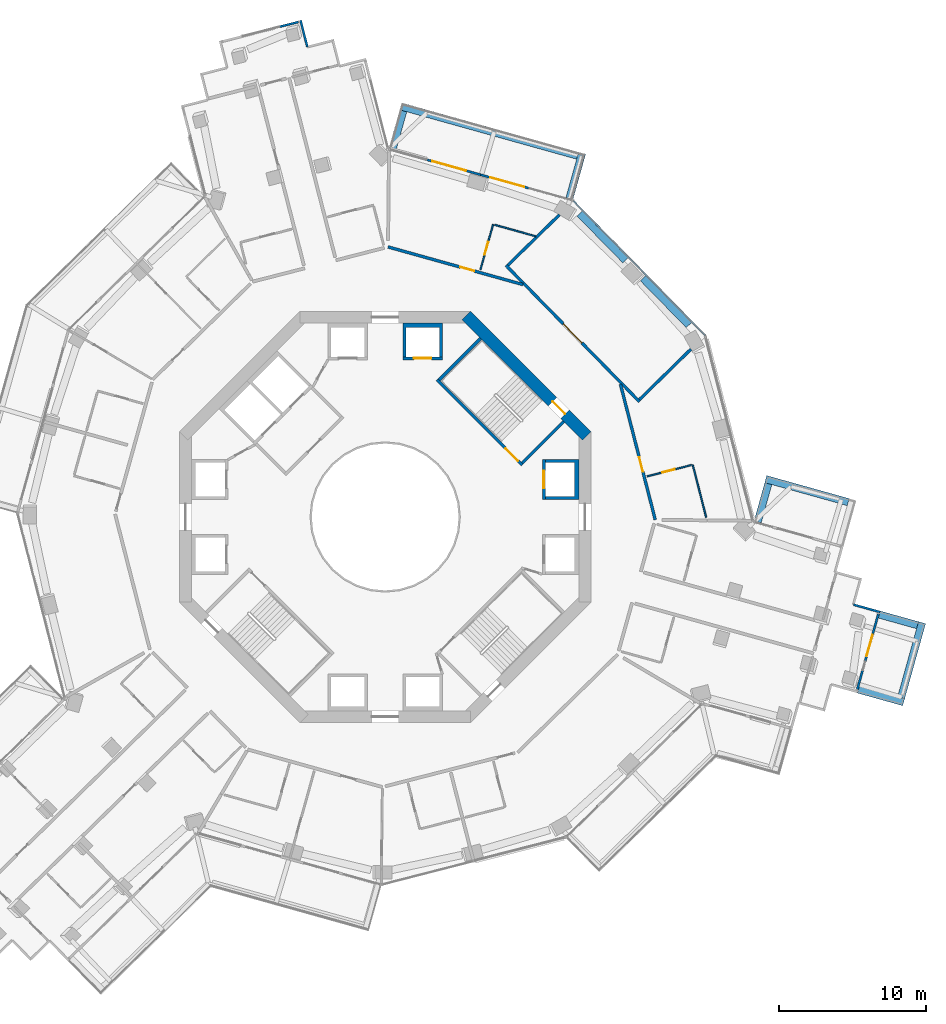
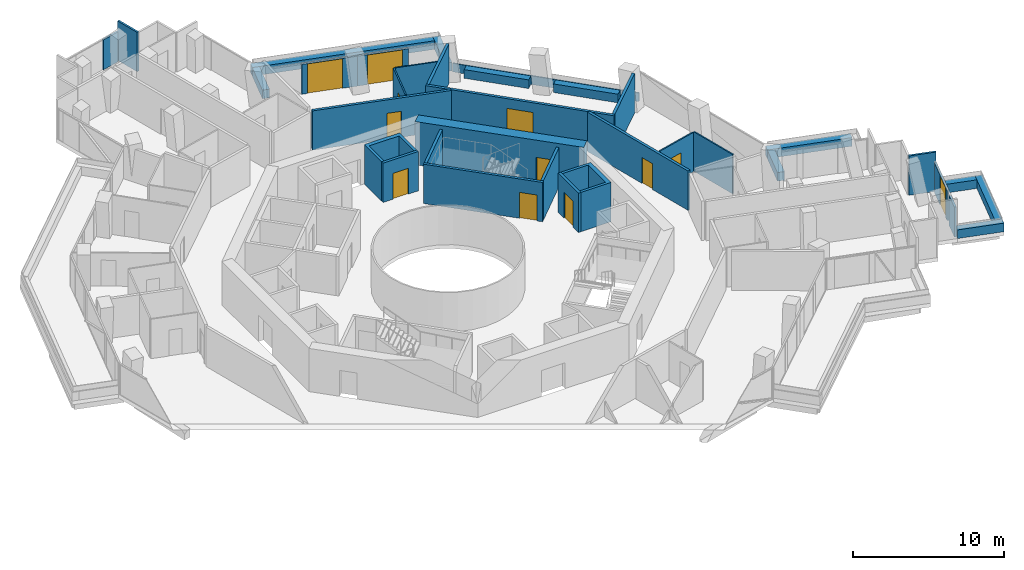
# One storey, part 23 of 26: 35 walls, 12 doors, 12 openings.
"""IFC4 building model written with IfcOpenShell, lengths in metres."""

from ifc_helpers import new_model, si_unit, direction, frame, frame_2d, origin, place, context, subcontext, project, spatial, polyline, rectangle, outline, extrude, material, layer, layer_set, type_object, element, fill, save


model = new_model("IFC4")

# Units and contexts
model_context = context("Model", 3, precision=1e-05, world=origin(), true_north=direction((0.0, 1.0)))
body_context = subcontext(model_context, "Body", "Model", "MODEL_VIEW")
ifc_project = project(units=[si_unit("LENGTHUNIT", "METRE"), si_unit("AREAUNIT", "SQUARE_METRE"), si_unit("VOLUMEUNIT", "CUBIC_METRE"), si_unit("PLANEANGLEUNIT", "RADIAN"), si_unit("MASSUNIT", "GRAM", prefix="KILO")], contexts=[model_context])

# Site, building, storey
site_placement = place(None, origin())
site = spatial("IfcSite", under=ifc_project, at=site_placement, CompositionType="ELEMENT")
building_placement = place(site_placement, origin())
building = spatial("IfcBuilding", under=site, at=building_placement, Name="Verdalira Terraces Hotel", CompositionType="ELEMENT")
storey_placement = place(building_placement, frame((0.0, 0.0, 93.0)))
storey = spatial("IfcBuildingStorey", under=building, at=storey_placement, Name="L21", CompositionType="ELEMENT", Elevation=93.0)

# Walls
ifc_material_1 = material(Name="Concrete C40", Category="concrete")
ifc_layer_1 = layer(ifc_material_1, 0.5)
ifc_layer_set_1 = layer_set([ifc_layer_1], Name="Balcony planter trough with tree")
wall_type_1 = type_object("IfcWallType", Name="Balcony planter trough with tree", PredefinedType="SOLIDWALL", material=ifc_layer_set_1)
wall_1_placement = place(storey_placement, frame((32.211426, -11.744873, 0.0), z_axis=(0.0, 0.0, 1.0), x_axis=(0.963159533, -0.268930686, 0.0)))
element("IfcWall", 1, at=wall_1_placement, inside=storey, type_object=wall_type_1, Name="Balcony planter", PredefinedType="SOLIDWALL", context=body_context, shape_type="SweptSolid", body=[
    extrude(rectangle(XDim=3.199219, YDim=0.5, at=frame_2d((1.599609, 0.0))), origin(), (0.0, 0.0, 1.0), 0.699951),
])
wall_2_placement = place(storey_placement, frame((35.119141, -12.297119, 0.0), z_axis=(0.0, 0.0, 1.0), x_axis=(0.268924192, 0.963161346, 0.0)))
element("IfcWall", 2, at=wall_2_placement, inside=storey, type_object=wall_type_1, Name="Balcony planter", PredefinedType="SOLIDWALL", context=body_context, shape_type="SweptSolid", body=[
    extrude(rectangle(XDim=5.300049, YDim=0.5, at=frame_2d((2.649902, 0.0))), origin(), (0.0, 0.0, 1.0), 0.699951),
])
wall_3_placement = place(storey_placement, frame((36.236328, -7.365967, 0.0), z_axis=(0.0, 0.0, 1.0), x_axis=(-0.963161982, 0.268921917, 0.0)))
element("IfcWall", 3, at=wall_3_placement, inside=storey, type_object=wall_type_1, Name="Balcony planter", PredefinedType="SOLIDWALL", context=body_context, shape_type="SweptSolid", body=[
    extrude(rectangle(XDim=2.698975, YDim=0.5, at=frame_2d((1.349609, 0.0))), origin(), (0.0, 0.0, 1.0), 0.699951),
])
wall_4_placement = place(storey_placement, frame((31.515381, 1.012207, 0.0), z_axis=(0.0, 0.0, 1.0), x_axis=(-0.963162724, 0.268919258, 0.0)))
element("IfcWall", 4, at=wall_4_placement, inside=storey, type_object=wall_type_1, Name="Balcony planter", PredefinedType="SOLIDWALL", context=body_context, shape_type="SweptSolid", body=[
    extrude(rectangle(XDim=5.823975, YDim=0.5, at=frame_2d((2.912109, 0.0))), origin(), (0.0, 0.0, 1.0), 0.699951),
])
wall_5_placement = place(storey_placement, frame((26.07959, 2.270264, 0.0), z_axis=(0.0, 0.0, 1.0), x_axis=(-0.268921917, -0.963161982, 0.0)))
element("IfcWall", 5, at=wall_5_placement, inside=storey, type_object=wall_type_1, Name="Balcony planter", PredefinedType="SOLIDWALL", context=body_context, shape_type="SweptSolid", body=[
    extrude(rectangle(XDim=2.698975, YDim=0.5, at=frame_2d((1.349609, 0.0))), origin(), (0.0, 0.0, 1.0), 0.699951),
])
wall_6_placement = place(storey_placement, frame((12.543701, 21.684814, 0.0), z_axis=(0.0, 0.0, 1.0), x_axis=(0.26885989, 0.963179298, 0.0)))
element("IfcWall", 6, at=wall_6_placement, inside=storey, type_object=wall_type_1, Name="Balcony planter", PredefinedType="SOLIDWALL", context=body_context, shape_type="SweptSolid", body=[
    extrude(rectangle(XDim=3.198975, YDim=0.5, at=frame_2d((1.599609, 0.0))), origin(), (0.0, 0.0, 1.0), 0.699951),
])
wall_7_placement = place(storey_placement, frame((13.095947, 24.592529, 0.0), z_axis=(0.0, 0.0, 1.0), x_axis=(-0.963161131, 0.268924963, 0.0)))
element("IfcWall", 7, at=wall_7_placement, inside=storey, type_object=wall_type_1, Name="Balcony planter", PredefinedType="SOLIDWALL", context=body_context, shape_type="SweptSolid", body=[
    extrude(rectangle(XDim=12.5, YDim=0.5, at=frame_2d((6.25, 0.0))), origin(), (0.0, 0.0, 1.0), 0.699951),
])
wall_8_placement = place(storey_placement, frame((1.22998, 27.645996, 0.0), z_axis=(0.0, 0.0, 1.0), x_axis=(-0.268921917, -0.963161982, 0.0)))
element("IfcWall", 8, at=wall_8_placement, inside=storey, type_object=wall_type_1, Name="Balcony planter", PredefinedType="SOLIDWALL", context=body_context, shape_type="SweptSolid", body=[
    extrude(rectangle(XDim=2.698975, YDim=0.5, at=frame_2d((1.349609, 0.0))), origin(), (0.0, 0.0, 1.0), 0.699951),
])

# Wall, opening, door
ifc_material_2 = material(Name="Moisture-resistant gypsum board partition")
ifc_layer_2 = layer(ifc_material_2, 0.10009765625)
ifc_layer_set_2 = layer_set([ifc_layer_2], Name="Bathroom partition 100 mm")
wall_type_2 = type_object("IfcWallType", Name="Bathroom partition 100 mm", PredefinedType="PARTITIONING", material=ifc_layer_set_2)
wall_9_placement = place(storey_placement, frame((7.344971, 19.916748, 0.0), z_axis=(0.0, 0.0, 1.0), x_axis=(-0.268942177, -0.963156324, 0.0)))
wall_9 = element("IfcWall", 9, at=wall_9_placement, inside=storey, type_object=wall_type_2, Name="Bathroom partition", PredefinedType="PARTITIONING", context=body_context, shape_type="SweptSolid", body=[
    extrude(rectangle(XDim=3.199951, YDim=0.100098, at=frame_2d((1.600098, 0.0))), origin(), (0.0, 0.0, 1.0), 3.189941),
])
opening_1_placement = place(wall_9_placement, frame((1.25, 0.0, 0.0)))
opening_1 = element("IfcOpeningElement", 10, at=opening_1_placement, cuts=wall_9, Name="Opening L21-136", PredefinedType="OPENING", context=body_context, shape_type="SweptSolid", body=[
    extrude(rectangle(XDim=0.899902, YDim=2.100098, at=frame_2d((0.449951, 1.050049))), frame((0.0, 0.060059, 0.0), z_axis=(0.0, -1.0, 0.0), x_axis=(1.0, 0.0, 0.0)), (0.0, 0.0, 1.0), 0.120117),
])
ifc_material_3 = material(Name="Timber door", Category="wood")
door_type_1 = type_object("IfcDoorType", Name="Bathroom door 900 x 2100", OperationType="NOTDEFINED", PredefinedType="DOOR", material=ifc_material_3)
door_1_placement = place(opening_1_placement, origin())
door_1 = element("IfcDoor", 11, at=door_1_placement, inside=storey, type_object=door_type_1, Name="Bathroom door 2112", OperationType="SINGLE_SWING_LEFT", OverallHeight=2.10009765625, OverallWidth=0.89990234375, PredefinedType="DOOR", context=body_context, shape_type="SweptSolid", body=[
    extrude(rectangle(XDim=0.899902, YDim=2.100098, at=frame_2d((0.449951, 1.050049))), frame((0.0, 0.024902, 0.0), z_axis=(0.0, -1.0, 0.0), x_axis=(1.0, 0.0, 0.0)), (0.0, 0.0, 1.0), 0.050049),
])
fill(opening_1, door_1)

# Wall
wall_10_placement = place(storey_placement, frame((7.441162, 19.889893, 0.0), z_axis=(0.0, 0.0, 1.0), x_axis=(0.963173581, -0.268880369, 0.0)))
element("IfcWall", 12, at=wall_10_placement, inside=storey, type_object=wall_type_2, Name="Bathroom partition", PredefinedType="PARTITIONING", context=body_context, shape_type="SweptSolid", body=[
    extrude(rectangle(XDim=2.911865, YDim=0.100098, at=frame_2d((1.456055, 0.0))), origin(), (0.0, 0.0, 1.0), 3.189941),
])

# Wall, opening, door
wall_11_placement = place(storey_placement, frame((20.833984, 3.533936, 0.0), z_axis=(0.0, 0.0, 1.0), x_axis=(-0.968580249, -0.24870123, 0.0)))
wall_11 = element("IfcWall", 13, at=wall_11_placement, inside=storey, type_object=wall_type_2, Name="Bathroom partition", PredefinedType="PARTITIONING", context=body_context, shape_type="SweptSolid", body=[
    extrude(rectangle(XDim=3.100098, YDim=0.100098, at=frame_2d((1.550049, 0.0))), origin(), (0.0, 0.0, 1.0), 3.189941),
])
opening_2_placement = place(wall_11_placement, frame((1.149902, 0.0, 0.0)))
opening_2 = element("IfcOpeningElement", 14, at=opening_2_placement, cuts=wall_11, Name="Opening L21-134", PredefinedType="OPENING", context=body_context, shape_type="SweptSolid", body=[
    extrude(rectangle(XDim=0.899902, YDim=2.100098, at=frame_2d((0.449951, 1.050049))), frame((0.0, 0.060059, 0.0), z_axis=(0.0, -1.0, 0.0), x_axis=(1.0, 0.0, 0.0)), (0.0, 0.0, 1.0), 0.120117),
])
door_2_placement = place(opening_2_placement, origin())
door_2 = element("IfcDoor", 15, at=door_2_placement, inside=storey, type_object=door_type_1, Name="Bathroom door 2111", OperationType="SINGLE_SWING_LEFT", OverallHeight=2.10009765625, OverallWidth=0.89990234375, PredefinedType="DOOR", context=body_context, shape_type="SweptSolid", body=[
    extrude(rectangle(XDim=0.899902, YDim=2.100098, at=frame_2d((0.449951, 1.050049))), frame((0.0, 0.024902, 0.0), z_axis=(0.0, -1.0, 0.0), x_axis=(1.0, 0.0, 0.0)), (0.0, 0.0, 1.0), 0.050049),
])
fill(opening_2, door_2)

# Walls
wall_12_placement = place(storey_placement, frame((20.930908, 3.558838, 0.0), z_axis=(0.0, 0.0, 1.0), x_axis=(0.24868774, -0.968583712, 0.0)))
element("IfcWall", 16, at=wall_12_placement, inside=storey, type_object=wall_type_2, Name="Bathroom partition", PredefinedType="PARTITIONING", context=body_context, shape_type="SweptSolid", body=[
    extrude(rectangle(XDim=3.704102, YDim=0.100098, at=frame_2d((1.852051, 0.0))), origin(), (0.0, 0.0, 1.0), 3.189941),
])
ifc_material_4 = material(Name="Concrete C50", Category="concrete")
ifc_layer_3 = layer(ifc_material_4, 0.199951171875)
ifc_layer_set_3 = layer_set([ifc_layer_3], Name="Core RC wall 200 C50")
wall_type_3 = type_object("IfcWallType", Name="Core RC wall 200 C50", PredefinedType="SOLIDWALL", material=ifc_layer_set_3)
wall_13_placement = place(storey_placement, origin())
element("IfcWall", 17, at=wall_13_placement, inside=storey, type_object=wall_type_3, Name="L21 shaft wall E2", PredefinedType="SOLIDWALL", context=body_context, shape_type="SweptSolid", body=[
    extrude(outline(polyline([(13.199951, 3.899902), (13.199951, 1.199951), (10.899902, 1.199951), (10.899902, 1.399902), (12.899902, 1.399902), (12.899902, 3.699951), (10.899902, 3.699951), (10.899902, 3.899902), (13.199951, 3.899902)])), origin(), (0.0, 0.0, 1.0), 3.189941),
])

# Wall, opening, door
wall_14_placement = place(storey_placement, frame((10.800049, 1.199951, 0.0), z_axis=(0.0, 0.0, 1.0), x_axis=(0.0, 1.0, 0.0)))
wall_14 = element("IfcWall", 18, at=wall_14_placement, inside=storey, type_object=wall_type_3, Name="L21 shaft front wall E2", PredefinedType="SOLIDWALL", context=body_context, shape_type="SweptSolid", body=[
    extrude(rectangle(XDim=2.699951, YDim=0.199951, at=frame_2d((1.350098, 0.0))), origin(), (0.0, 0.0, 1.0), 3.189941),
])
opening_3_placement = place(wall_14_placement, frame((0.75, 0.0, 0.0)))
opening_3 = element("IfcOpeningElement", 19, at=opening_3_placement, cuts=wall_14, Name="Opening LD-L21-802", PredefinedType="OPENING", context=body_context, shape_type="SweptSolid", body=[
    extrude(rectangle(XDim=1.199951, YDim=2.100098, at=frame_2d((0.600098, 1.050049))), frame((0.0, 0.109863, 0.0), z_axis=(0.0, -1.0, 0.0), x_axis=(1.0, 0.0, 0.0)), (0.0, 0.0, 1.0), 0.219971),
])
ifc_material_5 = material(Name="Stainless steel", Category="steel")
door_type_2 = type_object("IfcDoorType", Name="Landing door 1200 x 2100", OperationType="NOTDEFINED", PredefinedType="DOOR", material=ifc_material_5)
door_3_placement = place(opening_3_placement, origin())
door_3 = element("IfcDoor", 20, at=door_3_placement, inside=storey, type_object=door_type_2, Name="Lift landing door LR2 L21", OperationType="DOUBLE_DOOR_SLIDING", OverallHeight=2.10009765625, OverallWidth=1.199951171875, PredefinedType="DOOR", context=body_context, shape_type="SweptSolid", body=[
    extrude(rectangle(XDim=1.199951, YDim=2.100098, at=frame_2d((0.600098, 1.050049))), frame((0.0, 0.024902, 0.0), z_axis=(0.0, -1.0, 0.0), x_axis=(1.0, 0.0, 0.0)), (0.0, 0.0, 1.0), 0.050049),
])
fill(opening_3, door_3)

# Wall
wall_15_placement = place(storey_placement, origin())
element("IfcWall", 21, at=wall_15_placement, inside=storey, type_object=wall_type_3, Name="L21 shaft wall N1", PredefinedType="SOLIDWALL", context=body_context, shape_type="SweptSolid", body=[
    extrude(outline(polyline([(3.899902, 13.199951), (3.899902, 10.899902), (3.699951, 10.899902), (3.699951, 12.899902), (1.399902, 12.899902), (1.399902, 10.899902), (1.199951, 10.899902), (1.199951, 13.199951), (3.899902, 13.199951)])), origin(), (0.0, 0.0, 1.0), 3.189941),
])

# Wall, opening, door
wall_16_placement = place(storey_placement, frame((1.199951, 10.800049, 0.0), z_axis=(0.0, 0.0, 1.0), x_axis=(1.0, 0.0, 0.0)))
wall_16 = element("IfcWall", 22, at=wall_16_placement, inside=storey, type_object=wall_type_3, Name="L21 shaft front wall N1", PredefinedType="SOLIDWALL", context=body_context, shape_type="SweptSolid", body=[
    extrude(rectangle(XDim=2.699951, YDim=0.199951, at=frame_2d((1.350098, 0.0))), origin(), (0.0, 0.0, 1.0), 3.189941),
])
opening_4_placement = place(wall_16_placement, frame((0.75, 0.0, 0.0)))
opening_4 = element("IfcOpeningElement", 23, at=opening_4_placement, cuts=wall_16, Name="Opening LD-L21-803", PredefinedType="OPENING", context=body_context, shape_type="SweptSolid", body=[
    extrude(rectangle(XDim=1.199951, YDim=2.100098, at=frame_2d((0.600098, 1.050049))), frame((0.0, 0.109863, 0.0), z_axis=(0.0, -1.0, 0.0), x_axis=(1.0, 0.0, 0.0)), (0.0, 0.0, 1.0), 0.219971),
])
door_4_placement = place(opening_4_placement, origin())
door_4 = element("IfcDoor", 24, at=door_4_placement, inside=storey, type_object=door_type_2, Name="Lift landing door LR3 L21", OperationType="DOUBLE_DOOR_SLIDING", OverallHeight=2.10009765625, OverallWidth=1.199951171875, PredefinedType="DOOR", context=body_context, shape_type="SweptSolid", body=[
    extrude(rectangle(XDim=1.199951, YDim=2.100098, at=frame_2d((0.600098, 1.050049))), frame((0.0, 0.024902, 0.0), z_axis=(0.0, -1.0, 0.0), x_axis=(1.0, 0.0, 0.0)), (0.0, 0.0, 1.0), 0.050049),
])
fill(opening_4, door_4)

wall_17_placement = place(storey_placement, frame((3.5354, 9.33374, 0.0), z_axis=(0.0, 0.0, 1.0), x_axis=(0.707106781, -0.707106781, 0.0)))
wall_17 = element("IfcWall", 25, at=wall_17_placement, inside=storey, type_object=wall_type_3, Name="L21 stair ST1 front wall", PredefinedType="SOLIDWALL", context=body_context, shape_type="SweptSolid", body=[
    extrude(rectangle(XDim=8.200195, YDim=0.199951, at=frame_2d((4.100098, 0.0))), origin(), (0.0, 0.0, 1.0), 3.189941),
])
opening_5_placement = place(wall_17_placement, frame((6.600098, 0.0, 0.0)))
opening_5 = element("IfcOpeningElement", 26, at=opening_5_placement, cuts=wall_17, Name="Opening L21-809", PredefinedType="OPENING", context=body_context, shape_type="SweptSolid", body=[
    extrude(rectangle(XDim=1.199951, YDim=2.100098, at=frame_2d((0.600098, 1.050049))), frame((0.0, 0.109863, 0.0), z_axis=(0.0, -1.0, 0.0), x_axis=(1.0, 0.0, 0.0)), (0.0, 0.0, 1.0), 0.219971),
])
ifc_material_6 = material(Name="Steel fire door", Category="steel")
door_type_3 = type_object("IfcDoorType", Name="Stair door 1200 x 2100", OperationType="NOTDEFINED", PredefinedType="DOOR", material=ifc_material_6)
door_5_placement = place(opening_5_placement, origin())
door_5 = element("IfcDoor", 27, at=door_5_placement, inside=storey, type_object=door_type_3, Name="Stair door ST1 L21", OperationType="SINGLE_SWING_RIGHT", OverallHeight=2.10009765625, OverallWidth=1.199951171875, PredefinedType="DOOR", context=body_context, shape_type="SweptSolid", body=[
    extrude(rectangle(XDim=1.199951, YDim=2.100098, at=frame_2d((0.600098, 1.050049))), frame((0.0, 0.024902, 0.0), z_axis=(0.0, -1.0, 0.0), x_axis=(1.0, 0.0, 0.0)), (0.0, 0.0, 1.0), 0.050049),
])
fill(opening_5, door_5)

# Walls
for number, where, z_axis, x_axis, name in (
    (28, (9.33374, 3.677002, 0.0), (0.0, 0.0, 1.0), (0.707106781, 0.707106781, 0.0), "L21 stair ST1 end wall 1"),
    (29, (3.677002, 9.33374, 0.0), (0.0, 0.0, 1.0), (0.707106781, 0.707106781, 0.0), "L21 stair ST1 end wall 2"),
):
    element("IfcWall", number, at=place(storey_placement, frame(where, z_axis=z_axis, x_axis=x_axis)), inside=storey, type_object=wall_type_3, Name=name, PredefinedType="SOLIDWALL", context=body_context, shape_type="SweptSolid", body=[
        extrude(rectangle(XDim=4.0, YDim=0.199951, at=frame_2d((2.0, 0.0))), origin(), (0.0, 0.0, 1.0), 3.189941),
    ])

# Wall, opening, door
ifc_material_7 = material(Name="Concrete C70", Category="concrete")
ifc_layer_4 = layer(ifc_material_7, 0.800048828125)
ifc_layer_set_4 = layer_set([ifc_layer_4], Name="Core wall 800 C70")
wall_type_4 = type_object("IfcWallType", Name="Core wall 800 C70", PredefinedType="SHEAR", material=ifc_layer_set_4)
wall_18_placement = place(storey_placement, frame((13.717285, 5.516113, 0.0), z_axis=(0.0, 0.0, 1.0), x_axis=(-0.707106781, 0.707106781, 0.0)))
wall_18 = element("IfcWall", 30, at=wall_18_placement, inside=storey, type_object=wall_type_4, Name="Core wall CW-L21-2", PredefinedType="SHEAR", context=body_context, shape_type="SweptSolid", body=[
    extrude(rectangle(XDim=11.598145, YDim=0.800049, at=frame_2d((5.799072, 0.0))), origin(), (0.0, 0.0, 1.0), 3.5),
])
opening_6_placement = place(wall_18_placement, frame((2.099121, 0.0, 0.0)))
opening_6 = element("IfcOpeningElement", 31, at=opening_6_placement, cuts=wall_18, Name="Opening L21-816", PredefinedType="OPENING", context=body_context, shape_type="SweptSolid", body=[
    extrude(rectangle(XDim=1.199951, YDim=2.100098, at=frame_2d((0.600098, 1.050049))), frame((0.0, 0.409912, 0.0), z_axis=(0.0, -1.0, 0.0), x_axis=(1.0, 0.0, 0.0)), (0.0, 0.0, 1.0), 0.820068),
])
door_6_placement = place(opening_6_placement, origin())
door_6 = element("IfcDoor", 32, at=door_6_placement, inside=storey, type_object=door_type_3, Name="Stair exit door ST1 L21", OperationType="SINGLE_SWING_LEFT", OverallHeight=2.10009765625, OverallWidth=1.199951171875, PredefinedType="DOOR", context=body_context, shape_type="SweptSolid", body=[
    extrude(rectangle(XDim=1.199951, YDim=2.100098, at=frame_2d((0.600098, 1.050049))), frame((0.0, 0.024902, 0.0), z_axis=(0.0, -1.0, 0.0), x_axis=(1.0, 0.0, 0.0)), (0.0, 0.0, 1.0), 0.050049),
])
fill(opening_6, door_6)

ifc_material_8 = material(Name="Fire-rated gypsum board wall")
ifc_layer_5 = layer(ifc_material_8, 0.199951171875)
ifc_layer_set_5 = layer_set([ifc_layer_5], Name="Guest corridor wall 200 mm")
wall_type_5 = type_object("IfcWallType", Name="Guest corridor wall 200 mm", PredefinedType="SOLIDWALL", material=ifc_layer_set_5)
wall_19_placement = place(storey_placement, frame((0.192627, 18.383789, 0.0), z_axis=(0.0, 0.0, 1.0), x_axis=(0.963159453, -0.268930974, 0.0)))
wall_19 = element("IfcWall", 33, at=wall_19_placement, inside=storey, type_object=wall_type_5, Name="Guest corridor wall", PredefinedType="SOLIDWALL", context=body_context, shape_type="SweptSolid", body=[
    extrude(rectangle(XDim=9.536621, YDim=0.199951, at=frame_2d((4.768311, 0.0))), origin(), (0.0, 0.0, 1.0), 3.189941),
])
opening_7_placement = place(wall_19_placement, frame((5.100098, 0.0, 0.0)))
opening_7 = element("IfcOpeningElement", 34, at=opening_7_placement, cuts=wall_19, Name="Opening L21-135", PredefinedType="OPENING", context=body_context, shape_type="SweptSolid", body=[
    extrude(rectangle(XDim=1.0, YDim=2.100098, at=frame_2d((0.5, 1.050049))), frame((0.0, 0.109863, 0.0), z_axis=(0.0, -1.0, 0.0), x_axis=(1.0, 0.0, 0.0)), (0.0, 0.0, 1.0), 0.219971),
])
ifc_material_9 = material(Name="Timber fire door", Category="wood")
door_type_4 = type_object("IfcDoorType", Name="Guest entry door 1000 x 2100", OperationType="NOTDEFINED", PredefinedType="DOOR", material=ifc_material_9)
door_7_placement = place(opening_7_placement, origin())
door_7 = element("IfcDoor", 35, at=door_7_placement, inside=storey, type_object=door_type_4, Name="Guest entry door 2112", OperationType="SINGLE_SWING_LEFT", OverallHeight=2.10009765625, OverallWidth=1.0, PredefinedType="DOOR", context=body_context, shape_type="SweptSolid", body=[
    extrude(rectangle(XDim=1.0, YDim=2.100098, at=frame_2d((0.5, 1.050049))), frame((0.0, 0.024902, 0.0), z_axis=(0.0, -1.0, 0.0), x_axis=(1.0, 0.0, 0.0)), (0.0, 0.0, 1.0), 0.050049),
])
fill(opening_7, door_7)

wall_20_placement = place(storey_placement, frame((16.012207, 9.044434, 0.0), z_axis=(0.0, 0.0, 1.0), x_axis=(0.248687002, -0.968583902, 0.0)))
wall_20 = element("IfcWall", 36, at=wall_20_placement, inside=storey, type_object=wall_type_5, Name="Guest corridor wall", PredefinedType="SOLIDWALL", context=body_context, shape_type="SweptSolid", body=[
    extrude(rectangle(XDim=9.536377, YDim=0.199951, at=frame_2d((4.768066, 0.0))), origin(), (0.0, 0.0, 1.0), 3.189941),
])
opening_8_placement = place(wall_20_placement, frame((5.149902, 0.0, 0.0)))
opening_8 = element("IfcOpeningElement", 37, at=opening_8_placement, cuts=wall_20, Name="Opening L21-133", PredefinedType="OPENING", context=body_context, shape_type="SweptSolid", body=[
    extrude(rectangle(XDim=1.0, YDim=2.100098, at=frame_2d((0.5, 1.050049))), frame((0.0, 0.109863, 0.0), z_axis=(0.0, -1.0, 0.0), x_axis=(1.0, 0.0, 0.0)), (0.0, 0.0, 1.0), 0.219971),
])
door_8_placement = place(opening_8_placement, origin())
door_8 = element("IfcDoor", 38, at=door_8_placement, inside=storey, type_object=door_type_4, Name="Guest entry door 2111", OperationType="SINGLE_SWING_LEFT", OverallHeight=2.10009765625, OverallWidth=1.0, PredefinedType="DOOR", context=body_context, shape_type="SweptSolid", body=[
    extrude(rectangle(XDim=1.0, YDim=2.100098, at=frame_2d((0.5, 1.050049))), frame((0.0, 0.024902, 0.0), z_axis=(0.0, -1.0, 0.0), x_axis=(1.0, 0.0, 0.0)), (0.0, 0.0, 1.0), 0.050049),
])
fill(opening_8, door_8)

ifc_material_10 = material(Name="Terracotta cladding", Category="masonry")
ifc_layer_6 = layer(ifc_material_10, 0.199951171875)
ifc_layer_set_6 = layer_set([ifc_layer_6], Name="Loggia back wall 200")
wall_type_6 = type_object("IfcWallType", Name="Loggia back wall 200", PredefinedType="SOLIDWALL", material=ifc_layer_set_6)
wall_21_placement = place(storey_placement, frame((8.211426, 17.138916, 0.0), z_axis=(0.0, 0.0, 1.0), x_axis=(0.699668735, -0.714467397, 0.0)))
wall_21 = element("IfcWall", 39, at=wall_21_placement, inside=storey, type_object=wall_type_6, Name="Loggia back wall", PredefinedType="SOLIDWALL", context=body_context, shape_type="SweptSolid", body=[
    extrude(rectangle(XDim=13.0, YDim=0.199951, at=frame_2d((6.5, 0.0))), origin(), (0.0, 0.0, 1.0), 3.189941),
])
opening_9_placement = place(wall_21_placement, frame((5.600098, 0.0, 0.0)))
opening_9 = element("IfcOpeningElement", 40, at=opening_9_placement, cuts=wall_21, Name="Opening L21-L01", PredefinedType="OPENING", context=body_context, shape_type="SweptSolid", body=[
    extrude(rectangle(XDim=1.800049, YDim=2.399902, at=frame_2d((0.899902, 1.199951))), frame((0.0, 0.109863, 0.0), z_axis=(0.0, -1.0, 0.0), x_axis=(1.0, 0.0, 0.0)), (0.0, 0.0, 1.0), 0.219971),
])
ifc_material_11 = material(Name="Clear glass", Category="glass")
door_type_5 = type_object("IfcDoorType", Name="Garden double door 1800x2400", OperationType="NOTDEFINED", PredefinedType="DOOR", material=ifc_material_11)
door_9_placement = place(opening_9_placement, origin())
door_9 = element("IfcDoor", 41, at=door_9_placement, inside=storey, type_object=door_type_5, Name="Loggia double door", OperationType="DOUBLE_DOOR_SINGLE_SWING", OverallHeight=2.39990234375, OverallWidth=1.800048828125, PredefinedType="DOOR", context=body_context, shape_type="SweptSolid", body=[
    extrude(rectangle(XDim=1.800049, YDim=2.399902, at=frame_2d((0.899902, 1.199951))), frame((0.0, 0.024902, 0.0), z_axis=(0.0, -1.0, 0.0), x_axis=(1.0, 0.0, 0.0)), (0.0, 0.0, 1.0), 0.050049),
])
fill(opening_9, door_9)

# Walls
wall_22_placement = place(storey_placement, frame((20.8125, 11.423584, 0.0), z_axis=(0.0, 0.0, 1.0), x_axis=(-0.714460654, -0.69967562, 0.0)))
element("IfcWall", 42, at=wall_22_placement, inside=storey, type_object=wall_type_6, Name="Loggia side wall", PredefinedType="SOLIDWALL", context=body_context, shape_type="SweptSolid", body=[
    extrude(rectangle(XDim=4.904297, YDim=0.199951, at=frame_2d((2.452148, 0.0))), origin(), (0.0, 0.0, 1.0), 3.189941),
])
wall_23_placement = place(storey_placement, frame((11.856445, 20.568359, 0.0), z_axis=(0.0, 0.0, 1.0), x_axis=(-0.714486057, -0.69964968, 0.0)))
element("IfcWall", 43, at=wall_23_placement, inside=storey, type_object=wall_type_6, Name="Loggia side wall", PredefinedType="SOLIDWALL", context=body_context, shape_type="SweptSolid", body=[
    extrude(rectangle(XDim=4.903809, YDim=0.199951, at=frame_2d((2.451904, 0.0))), origin(), (0.0, 0.0, 1.0), 3.189941),
])
ifc_material_12 = material(Name="Concrete C40", Category="concrete")
ifc_layer_7 = layer(ifc_material_12, 0.5)
ifc_layer_set_7 = layer_set([ifc_layer_7], Name="Loggia planter trough with tree")
wall_type_7 = type_object("IfcWallType", Name="Loggia planter trough with tree", PredefinedType="SOLIDWALL", material=ifc_layer_set_7)
wall_24_placement = place(storey_placement, frame((20.672607, 13.061035, 0.0), z_axis=(0.0, 0.0, 1.0), x_axis=(-0.699645765, 0.71448989, 0.0)))
element("IfcWall", 44, at=wall_24_placement, inside=storey, type_object=wall_type_7, Name="Loggia planter", PredefinedType="SOLIDWALL", context=body_context, shape_type="SweptSolid", body=[
    extrude(rectangle(XDim=4.457031, YDim=0.5, at=frame_2d((2.228516, 0.0))), origin(), (0.0, 0.0, 1.0), 0.699951),
])
wall_25_placement = place(storey_placement, frame((16.357422, 17.467529, 0.0), z_axis=(0.0, 0.0, 1.0), x_axis=(-0.699668514, 0.714467613, 0.0)))
element("IfcWall", 45, at=wall_25_placement, inside=storey, type_object=wall_type_7, Name="Loggia planter", PredefinedType="SOLIDWALL", context=body_context, shape_type="SweptSolid", body=[
    extrude(rectangle(XDim=4.454102, YDim=0.5, at=frame_2d((2.227051, 0.0))), origin(), (0.0, 0.0, 1.0), 0.699951),
])
ifc_material_13 = material(Name="Concrete C40", Category="concrete")
ifc_layer_8 = layer(ifc_material_13, 0.10009765625)
ifc_layer_set_8 = layer_set([ifc_layer_8], Name="Loggia upstand 100")
wall_type_8 = type_object("IfcWallType", Name="Loggia upstand 100", PredefinedType="SOLIDWALL", material=ifc_layer_set_8)
wall_26_placement = place(storey_placement, frame((21.788086, 12.35083, 0.0), z_axis=(0.0, 0.0, 1.0), x_axis=(-0.699662003, 0.71447399, 0.0)))
element("IfcWall", 46, at=wall_26_placement, inside=storey, type_object=wall_type_8, Name="Loggia upstand", PredefinedType="SOLIDWALL", context=body_context, shape_type="SweptSolid", body=[
    extrude(rectangle(XDim=12.840088, YDim=0.100098, at=frame_2d((6.419922, 0.0))), origin(), (0.0, 0.0, 1.0), 0.699951),
])
ifc_material_14 = material(Name="Terracotta cladding", Category="masonry")
ifc_layer_9 = layer(ifc_material_14, 0.14990234375)
ifc_layer_set_9 = layer_set([ifc_layer_9], Name="Terracotta clad wall 150")
wall_type_9 = type_object("IfcWallType", Name="Terracotta clad wall 150", PredefinedType="SOLIDWALL", material=ifc_layer_set_9)
for number, where, z_axis, x_axis, name in (
    (47, (-5.29834, 31.994873, 0.0), (0.0, 0.0, 1.0), (-0.248688597, 0.968583492, 0.0), "Terracotta cladding wall"),
    (48, (33.682861, -6.471436, 0.0), (0.0, 0.0, 1.0), (-0.963138264, 0.269006848, 0.0), "Terracotta cladding wall"),
):
    element("IfcWall", number, at=place(storey_placement, frame(where, z_axis=z_axis, x_axis=x_axis)), inside=storey, type_object=wall_type_9, Name=name, PredefinedType="SOLIDWALL", context=body_context, shape_type="SweptSolid", body=[
        extrude(rectangle(XDim=1.875, YDim=0.149902, at=frame_2d((0.9375, 0.0))), origin(), (0.0, 0.0, 1.0), 3.189941),
    ])
ifc_material_15 = material(Name="Terracotta cladding", Category="masonry")
ifc_layer_10 = layer(ifc_material_15, 0.14990234375)
ifc_layer_set_10 = layer_set([ifc_layer_10], Name="Terracotta column pier 150")
wall_type_10 = type_object("IfcWallType", Name="Terracotta column pier 150", PredefinedType="SOLIDWALL", material=ifc_layer_set_10)
for number, where, z_axis, x_axis, name in (
    (49, (-5.895996, 33.699707, 0.0), (0.0, 0.0, 1.0), (-0.968607935, -0.248593378, 0.0), "Terracotta column pier"),
    (50, (32.132812, -11.743896, 0.0), (0.0, 0.0, 1.0), (0.268990627, 0.963142794, 0.0), "Terracotta column pier"),
):
    element("IfcWall", number, at=place(storey_placement, frame(where, z_axis=z_axis, x_axis=x_axis)), inside=storey, type_object=wall_type_10, Name=name, PredefinedType="SOLIDWALL", context=body_context, shape_type="SweptSolid", body=[
        extrude(rectangle(XDim=1.374023, YDim=0.149902, at=frame_2d((0.687012, 0.0))), origin(), (0.0, 0.0, 1.0), 2.425049),
    ])

# Wall, opening, door
ifc_material_16 = material(Name="Terracotta cladding", Category="masonry")
ifc_layer_11 = layer(ifc_material_16, 0.14990234375)
ifc_layer_set_11 = layer_set([ifc_layer_11], Name="Terracotta door pier 150")
wall_type_11 = type_object("IfcWallType", Name="Terracotta door pier 150", PredefinedType="SOLIDWALL", material=ifc_layer_set_11)
wall_27_placement = place(storey_placement, frame((32.662598, -9.846436, 0.0), z_axis=(0.0, 0.0, 1.0), x_axis=(0.268917758, 0.963163143, 0.0)))
wall_27 = element("IfcWall", 51, at=wall_27_placement, inside=storey, type_object=wall_type_11, Name="Terracotta door pier", PredefinedType="SOLIDWALL", context=body_context, shape_type="SweptSolid", body=[
    extrude(rectangle(XDim=3.369873, YDim=0.149902, at=frame_2d((1.685059, 0.0))), origin(), (0.0, 0.0, 1.0), 2.425049),
])
opening_10_placement = place(wall_27_placement, frame((0.399902, 0.0, 0.0)))
opening_10 = element("IfcOpeningElement", 52, at=opening_10_placement, cuts=wall_27, Name="Opening L21-B15", PredefinedType="OPENING", context=body_context, shape_type="SweptSolid", body=[
    extrude(rectangle(XDim=1.5, YDim=2.399902, at=frame_2d((0.75, 1.199951))), frame((0.0, 0.084961, 0.0), z_axis=(0.0, -1.0, 0.0), x_axis=(1.0, 0.0, 0.0)), (0.0, 0.0, 1.0), 0.169922),
])
ifc_material_17 = material(Name="Clear glass", Category="glass")
door_type_6 = type_object("IfcDoorType", Name="Balcony sliding door 1500x2400", OperationType="NOTDEFINED", PredefinedType="DOOR", material=ifc_material_17)
door_10_placement = place(opening_10_placement, origin())
door_10 = element("IfcDoor", 53, at=door_10_placement, inside=storey, type_object=door_type_6, Name="Balcony sliding door", OperationType="SLIDING_TO_RIGHT", OverallHeight=2.39990234375, OverallWidth=1.5, PredefinedType="DOOR", context=body_context, shape_type="SweptSolid", body=[
    extrude(rectangle(XDim=1.5, YDim=2.399902, at=frame_2d((0.75, 1.199951))), frame((0.0, 0.024902, 0.0), z_axis=(0.0, -1.0, 0.0), x_axis=(1.0, 0.0, 0.0)), (0.0, 0.0, 1.0), 0.050049),
])
fill(opening_10, door_10)

wall_28_placement = place(storey_placement, frame((9.850342, 22.35791, 0.0), z_axis=(0.0, 0.0, 1.0), x_axis=(-0.96315568, 0.268944485, 0.0)))
wall_28 = element("IfcWall", 54, at=wall_28_placement, inside=storey, type_object=wall_type_11, Name="Terracotta door pier", PredefinedType="SOLIDWALL", context=body_context, shape_type="SweptSolid", body=[
    extrude(rectangle(XDim=3.474854, YDim=0.149902, at=frame_2d((1.737305, 0.0))), origin(), (0.0, 0.0, 1.0), 2.425049),
])
opening_11_placement = place(wall_28_placement, frame((0.399902, 0.0, 0.0)))
opening_11 = element("IfcOpeningElement", 55, at=opening_11_placement, cuts=wall_28, Name="Opening L21-B17", PredefinedType="OPENING", context=body_context, shape_type="SweptSolid", body=[
    extrude(rectangle(XDim=2.399902, YDim=2.399902, at=frame_2d((1.199951, 1.199951))), frame((0.0, 0.084961, 0.0), z_axis=(0.0, -1.0, 0.0), x_axis=(1.0, 0.0, 0.0)), (0.0, 0.0, 1.0), 0.169922),
])
ifc_material_18 = material(Name="Clear glass", Category="glass")
door_type_7 = type_object("IfcDoorType", Name="Balcony sliding door 2400x2400", OperationType="NOTDEFINED", PredefinedType="DOOR", material=ifc_material_18)
door_11_placement = place(opening_11_placement, origin())
door_11 = element("IfcDoor", 56, at=door_11_placement, inside=storey, type_object=door_type_7, Name="Balcony sliding door", OperationType="SLIDING_TO_RIGHT", OverallHeight=2.39990234375, OverallWidth=2.39990234375, PredefinedType="DOOR", context=body_context, shape_type="SweptSolid", body=[
    extrude(rectangle(XDim=2.399902, YDim=2.399902, at=frame_2d((1.199951, 1.199951))), frame((0.0, 0.024902, 0.0), z_axis=(0.0, -1.0, 0.0), x_axis=(1.0, 0.0, 0.0)), (0.0, 0.0, 1.0), 0.050049),
])
fill(opening_11, door_11)

wall_29_placement = place(storey_placement, frame((6.503418, 23.29248, 0.0), z_axis=(0.0, 0.0, 1.0), x_axis=(-0.963161418, 0.268923935, 0.0)))
wall_29 = element("IfcWall", 57, at=wall_29_placement, inside=storey, type_object=wall_type_11, Name="Terracotta door pier", PredefinedType="SOLIDWALL", context=body_context, shape_type="SweptSolid", body=[
    extrude(rectangle(XDim=3.835693, YDim=0.149902, at=frame_2d((1.917969, 0.0))), origin(), (0.0, 0.0, 1.0), 2.425049),
])
opening_12_placement = place(wall_29_placement, frame((1.0354, 0.0, 0.0)))
opening_12 = element("IfcOpeningElement", 58, at=opening_12_placement, cuts=wall_29, Name="Opening L21-B18", PredefinedType="OPENING", context=body_context, shape_type="SweptSolid", body=[
    extrude(rectangle(XDim=2.399902, YDim=2.399902, at=frame_2d((1.199951, 1.199951))), frame((0.0, 0.084961, 0.0), z_axis=(0.0, -1.0, 0.0), x_axis=(1.0, 0.0, 0.0)), (0.0, 0.0, 1.0), 0.169922),
])
door_12_placement = place(opening_12_placement, origin())
door_12 = element("IfcDoor", 59, at=door_12_placement, inside=storey, type_object=door_type_7, Name="Balcony sliding door", OperationType="SLIDING_TO_LEFT", OverallHeight=2.39990234375, OverallWidth=2.39990234375, PredefinedType="DOOR", context=body_context, shape_type="SweptSolid", body=[
    extrude(rectangle(XDim=2.399902, YDim=2.399902, at=frame_2d((1.199951, 1.199951))), frame((0.0, 0.024902, 0.0), z_axis=(0.0, -1.0, 0.0), x_axis=(1.0, 0.0, 0.0)), (0.0, 0.0, 1.0), 0.050049),
])
fill(opening_12, door_12)

save(model, "model.ifc")
